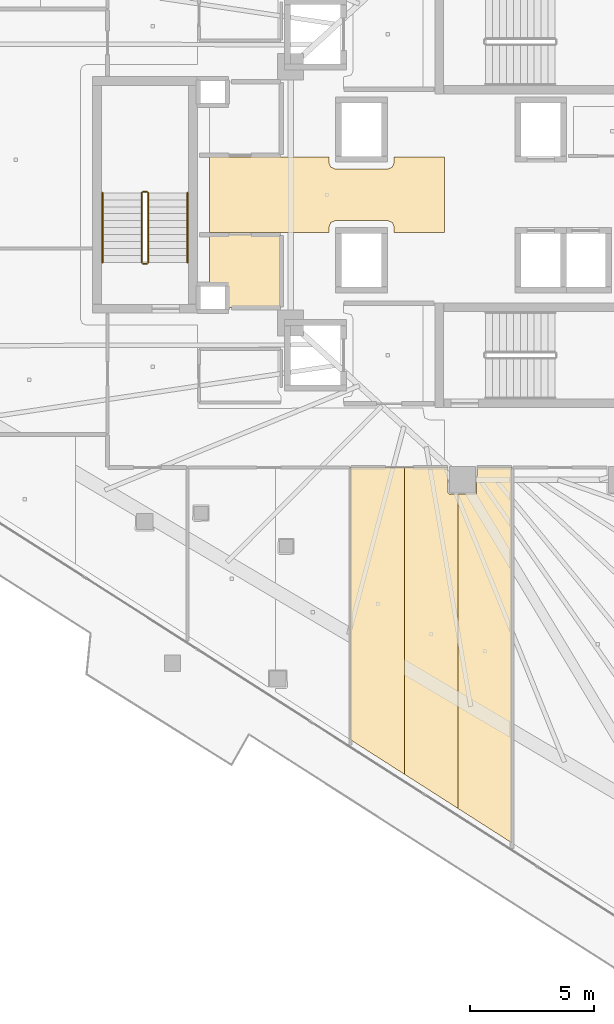
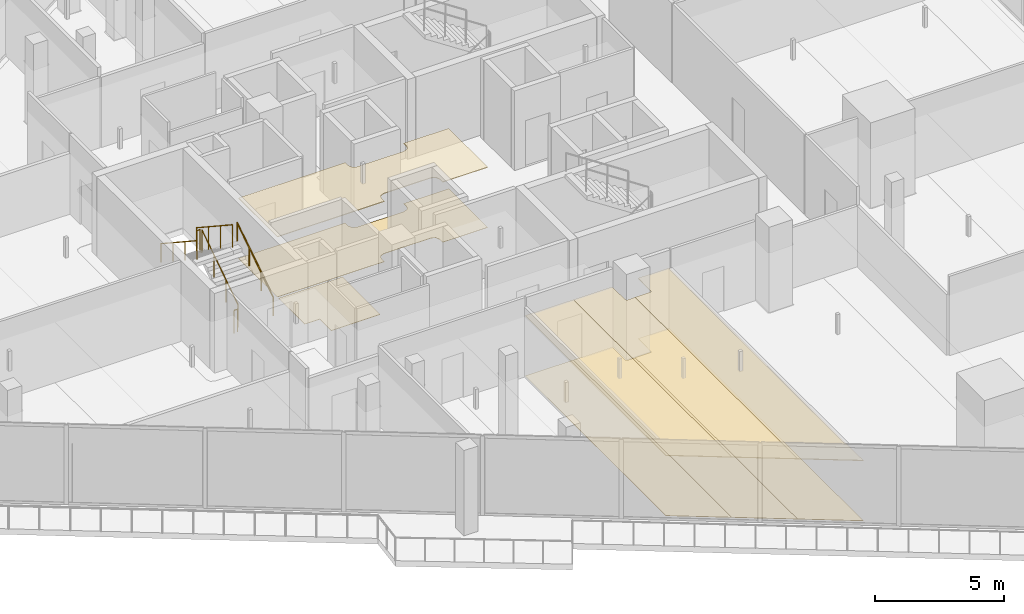
# One storey, part 33 of 39: 9 coverings, 6 railings.
"""IFC4 building model written with IfcOpenShell, lengths in metres."""

from ifc_helpers import new_model, si_unit, direction, frame, origin, origin_2d, place, context, subcontext, project, spatial, polyline, circle, outline, extrude, material, layer, layer_set, type_object, element, save


model = new_model("IFC4")

# Units and contexts
model_context = context("Model", 3, precision=1e-05, world=origin(), true_north=direction((0.0, 1.0)))
body_context = subcontext(model_context, "Body", "Model", "MODEL_VIEW")
ifc_project = project(units=[si_unit("LENGTHUNIT", "METRE"), si_unit("AREAUNIT", "SQUARE_METRE"), si_unit("VOLUMEUNIT", "CUBIC_METRE"), si_unit("PLANEANGLEUNIT", "RADIAN"), si_unit("MASSUNIT", "GRAM", prefix="KILO")], contexts=[model_context])

# Site, building, storey
site_placement = place(None, origin())
site = spatial("IfcSite", under=ifc_project, at=site_placement, CompositionType="ELEMENT")
building_placement = place(site_placement, origin())
building = spatial("IfcBuilding", under=site, at=building_placement, Name="Qorvath Tower", CompositionType="ELEMENT")
storey_placement = place(building_placement, frame((0.0, 0.0, 142.199951171875)))
storey = spatial("IfcBuildingStorey", under=building, at=storey_placement, Name="L32", CompositionType="ELEMENT", Elevation=142.199951171875)

# Coverings
ifc_material_1 = material(Name="Acoustic mineral fibre ceiling tile", Category="gypsum")
ifc_layer_1 = layer(ifc_material_1, 0.030029296875)
ifc_layer_set_1 = layer_set([ifc_layer_1], Name="COV-CEIL")
covering_type_1 = type_object("IfcCoveringType", Name="COV-CEIL", PredefinedType="CEILING", material=ifc_layer_set_1)
covering_1_placement = place(storey_placement, frame((0.0, 0.0, 2.85009765625)))
element("IfcCovering", 1, at=covering_1_placement, inside=storey, type_object=covering_type_1, Name="L32 Suspended Acoustic Ceiling 010", PredefinedType="CEILING", context=body_context, shape_type="SweptSolid", body=[
    extrude(outline(polyline([(-24.32080078125, -1.514892578125), (-24.32080078125, 1.514892578125), (-26.340087890625, 1.514892578125), (-26.340087890625, 1.2900390625), (-26.413330078125, 1.11328125), (-26.590087890625, 1.0400390625), (-28.7099609375, 1.0400390625), (-28.88671875, 1.11328125), (-28.9599609375, 1.2900390625), (-28.9599609375, 1.514892578125), (-33.760009765625, 1.514892578125), (-33.760009765625, -1.514892578125), (-28.9599609375, -1.514892578125), (-28.9599609375, -1.2900390625), (-28.88671875, -1.11328125), (-28.7099609375, -1.0400390625), (-26.590087890625, -1.0400390625), (-26.413330078125, -1.11328125), (-26.340087890625, -1.2900390625), (-26.340087890625, -1.514892578125), (-24.32080078125, -1.514892578125)])), origin(), (0.0, 0.0, 1.0), 0.030029296875),
])
covering_2_placement = place(storey_placement, frame((0.0, 0.0, 2.85009765625)))
element("IfcCovering", 2, at=covering_2_placement, inside=storey, type_object=covering_type_1, Name="L32 Suspended Acoustic Ceiling 023", PredefinedType="CEILING", context=body_context, shape_type="SweptSolid", body=[
    extrude(outline(polyline([(-25.9296875, -23.285400390625), (-25.9296875, -10.962890625), (-28.0888671875, -10.962890625), (-28.0888671875, -21.905517578125), (-25.9296875, -23.285400390625)])), origin(), (0.0, 0.0, 1.0), 0.030029296875),
])
covering_3_placement = place(storey_placement, frame((0.0, 0.0, 2.85009765625)))
element("IfcCovering", 3, at=covering_3_placement, inside=storey, type_object=covering_type_1, Name="L32 Suspended Acoustic Ceiling 024", PredefinedType="CEILING", context=body_context, shape_type="SweptSolid", body=[
    extrude(outline(polyline([(-23.7705078125, -24.665283203125), (-23.7705078125, -12.029296875), (-24.125, -12.034912109375), (-24.18505859375, -11.97509765625), (-24.18505859375, -10.962890625), (-25.9296875, -10.962890625), (-25.9296875, -23.285400390625), (-23.7705078125, -24.665283203125)])), origin(), (0.0, 0.0, 1.0), 0.030029296875),
])
covering_4_placement = place(storey_placement, frame((0.0, 0.0, 2.85009765625)))
element("IfcCovering", 4, at=covering_4_placement, inside=storey, type_object=covering_type_1, Name="L32 Suspended Acoustic Ceiling 025", PredefinedType="CEILING", context=body_context, shape_type="SweptSolid", body=[
    extrude(outline(polyline([(-21.611328125, -26.04541015625), (-21.611328125, -10.962890625), (-23.014892578125, -10.962890625), (-23.032470703125, -12.017333984375), (-23.7705078125, -12.029296875), (-23.7705078125, -24.665283203125), (-21.611328125, -26.04541015625)])), origin(), (0.0, 0.0, 1.0), 0.030029296875),
])
ifc_material_2 = material(Name="Low-VOC modular carpet tile", Category="textile")
ifc_layer_2 = layer(ifc_material_2, 0.014892578125)
ifc_layer_set_2 = layer_set([ifc_layer_2], Name="COV-FLOOR-CPT")
covering_type_2 = type_object("IfcCoveringType", Name="COV-FLOOR-CPT", PredefinedType="FLOORING", material=ifc_layer_set_2)
covering_5_placement = place(storey_placement, origin())
element("IfcCovering", 5, at=covering_5_placement, inside=storey, type_object=covering_type_2, Name="L32 Floor Finish 007", PredefinedType="FLOORING", context=body_context, shape_type="SweptSolid", body=[
    extrude(outline(polyline([(-30.885009765625, -4.534912109375), (-30.885009765625, -1.60498046875), (-33.760009765625, -1.60498046875), (-33.760009765625, -3.636962890625), (-33.08837890625, -3.638427734375), (-33.0869140625, -4.534912109375), (-30.885009765625, -4.534912109375)])), origin(), (0.0, 0.0, 1.0), 0.01513671875),
])
covering_6_placement = place(storey_placement, origin())
element("IfcCovering", 6, at=covering_6_placement, inside=storey, type_object=covering_type_2, Name="L32 Floor Finish 023", PredefinedType="FLOORING", context=body_context, shape_type="SweptSolid", body=[
    extrude(outline(polyline([(-25.9296875, -23.285400390625), (-25.9296875, -10.962890625), (-28.0888671875, -10.962890625), (-28.0888671875, -21.905517578125), (-25.9296875, -23.285400390625)])), origin(), (0.0, 0.0, 1.0), 0.01513671875),
])
covering_7_placement = place(storey_placement, origin())
element("IfcCovering", 7, at=covering_7_placement, inside=storey, type_object=covering_type_2, Name="L32 Floor Finish 024", PredefinedType="FLOORING", context=body_context, shape_type="SweptSolid", body=[
    extrude(outline(polyline([(-23.7705078125, -24.665283203125), (-23.7705078125, -12.029296875), (-24.125, -12.034912109375), (-24.18505859375, -11.97509765625), (-24.18505859375, -10.962890625), (-25.9296875, -10.962890625), (-25.9296875, -23.285400390625), (-23.7705078125, -24.665283203125)])), origin(), (0.0, 0.0, 1.0), 0.01513671875),
])
covering_8_placement = place(storey_placement, origin())
element("IfcCovering", 8, at=covering_8_placement, inside=storey, type_object=covering_type_2, Name="L32 Floor Finish 025", PredefinedType="FLOORING", context=body_context, shape_type="SweptSolid", body=[
    extrude(outline(polyline([(-21.611328125, -26.04541015625), (-21.611328125, -10.962890625), (-23.014892578125, -10.962890625), (-23.032470703125, -12.017333984375), (-23.7705078125, -12.029296875), (-23.7705078125, -24.665283203125), (-21.611328125, -26.04541015625)])), origin(), (0.0, 0.0, 1.0), 0.01513671875),
])
ifc_material_3 = material(Name="Polished epoxy terrazzo flooring", Category="concrete")
ifc_layer_3 = layer(ifc_material_3, 0.02001953125)
ifc_layer_set_3 = layer_set([ifc_layer_3], Name="COV-FLOOR-TRZ")
covering_type_3 = type_object("IfcCoveringType", Name="COV-FLOOR-TRZ", PredefinedType="FLOORING", material=ifc_layer_set_3)
covering_9_placement = place(storey_placement, origin())
element("IfcCovering", 9, at=covering_9_placement, inside=storey, type_object=covering_type_3, Name="L32 Floor Finish 010", PredefinedType="FLOORING", context=body_context, shape_type="SweptSolid", body=[
    extrude(outline(polyline([(-24.32080078125, -1.514892578125), (-24.32080078125, 1.514892578125), (-26.340087890625, 1.514892578125), (-26.340087890625, 1.2900390625), (-26.413330078125, 1.11328125), (-26.590087890625, 1.0400390625), (-28.7099609375, 1.0400390625), (-28.88671875, 1.11328125), (-28.9599609375, 1.2900390625), (-28.9599609375, 1.514892578125), (-33.760009765625, 1.514892578125), (-33.760009765625, -1.514892578125), (-28.9599609375, -1.514892578125), (-28.9599609375, -1.2900390625), (-28.88671875, -1.11328125), (-28.7099609375, -1.0400390625), (-26.590087890625, -1.0400390625), (-26.413330078125, -1.11328125), (-26.340087890625, -1.2900390625), (-26.340087890625, -1.514892578125), (-24.32080078125, -1.514892578125)])), origin(), (0.0, 0.0, 1.0), 0.01513671875),
])

# Railings
ifc_material_4 = material(Name="Painted galvanised steel", Category="steel")
railing_type_1 = type_object("IfcRailingType", Name="RL-STR-GRD", PredefinedType="GUARDRAIL", material=ifc_material_4)
railing_1_placement = place(storey_placement, frame((-36.22998046875, -2.719970703125, 0.18408203125)))
element("IfcRailing", 10, at=railing_1_placement, inside=storey, type_object=railing_type_1, Name="L32 TS3 stair guard 1", PredefinedType="GUARDRAIL", context=body_context, shape_type="SweptSolid", body=[
    extrude(circle(Radius=0.02392578125, at=origin_2d()), frame((0.0, 0.0, 1.076171875), z_axis=(0.0, 0.83556406348, 0.549393024911), x_axis=(-1.0, 0.0, 0.0)), (0.0, 0.0, 1.0), 3.35107421875),
    extrude(circle(Radius=0.02099609375, at=origin_2d()), origin(), (0.0, 0.0, 1.0), 1.052001953125),
    extrude(circle(Radius=0.02099609375, at=origin_2d()), frame((0.0, 0.933349609375, 0.61376953125)), (0.0, 0.0, 1.0), 1.052001953125),
    extrude(circle(Radius=0.02099609375, at=origin_2d()), frame((0.0, 1.86669921875, 1.227294921875)), (0.0, 0.0, 1.0), 1.052001953125),
    extrude(circle(Radius=0.02099609375, at=origin_2d()), frame((0.0, 2.800048828125, 1.841064453125)), (0.0, 0.0, 1.0), 1.052001953125),
])
railing_2_placement = place(storey_placement, frame((-36.280029296875, 0.1298828125, 2.025146484375)))
element("IfcRailing", 11, at=railing_2_placement, inside=storey, type_object=railing_type_1, Name="L32 TS3 stair guard 2", PredefinedType="GUARDRAIL", context=body_context, shape_type="SweptSolid", body=[
    extrude(circle(Radius=0.02392578125, at=origin_2d()), frame((0.0, 0.0, 1.076171875), z_axis=(-1.0, 0.0, 0.0), x_axis=(0.0, -1.0, 0.0)), (0.0, 0.0, 1.0), 0.14990234375),
    extrude(circle(Radius=0.02099609375, at=origin_2d()), origin(), (0.0, 0.0, 1.0), 1.052001953125),
    extrude(circle(Radius=0.02099609375, at=origin_2d()), frame((-0.14990234375, 0.0, 0.0)), (0.0, 0.0, 1.0), 1.052001953125),
])
railing_3_placement = place(storey_placement, frame((-36.47998046875, 0.080078125, 2.209228515625)))
element("IfcRailing", 12, at=railing_3_placement, inside=storey, type_object=railing_type_1, Name="L32 TS3 stair guard 3", PredefinedType="GUARDRAIL", context=body_context, shape_type="SweptSolid", body=[
    extrude(circle(Radius=0.02392578125, at=origin_2d()), frame((0.0, 0.0, 1.076171875), z_axis=(0.0, -0.835597507184, 0.549342157483), x_axis=(1.0, 0.0, 0.0)), (0.0, 0.0, 1.0), 3.35107421875),
    extrude(circle(Radius=0.02099609375, at=origin_2d()), origin(), (0.0, 0.0, 1.0), 1.052001953125),
    extrude(circle(Radius=0.02099609375, at=origin_2d()), frame((0.0, -0.933349609375, 0.613525390625)), (0.0, 0.0, 1.0), 1.052001953125),
    extrude(circle(Radius=0.02099609375, at=origin_2d()), frame((0.0, -1.86669921875, 1.227294921875)), (0.0, 0.0, 1.0), 1.052001953125),
    extrude(circle(Radius=0.02099609375, at=origin_2d()), frame((0.0, -2.800048828125, 1.8408203125)), (0.0, 0.0, 1.0), 1.052001953125),
])
railing_4_placement = place(storey_placement, frame((-36.280029296875, -2.77001953125, 0.0)))
element("IfcRailing", 13, at=railing_4_placement, inside=storey, type_object=railing_type_1, Name="L32 TS3 stair guard 4", PredefinedType="GUARDRAIL", context=body_context, shape_type="SweptSolid", body=[
    extrude(circle(Radius=0.02392578125, at=origin_2d()), frame((0.0, 0.0, 1.076171875), z_axis=(-1.0, 0.0, 0.0), x_axis=(0.0, -1.0, 0.0)), (0.0, 0.0, 1.0), 0.14990234375),
    extrude(circle(Radius=0.02099609375, at=origin_2d()), origin(), (0.0, 0.0, 1.0), 1.052001953125),
    extrude(circle(Radius=0.02099609375, at=origin_2d()), frame((-0.14990234375, 0.0, 0.0)), (0.0, 0.0, 1.0), 1.052001953125),
])
ifc_material_5 = material(Name="Brushed stainless steel AISI 304", Category="steel")
railing_type_2 = type_object("IfcRailingType", Name="RL-STR-HND", PredefinedType="HANDRAIL", material=ifc_material_5)
railing_5_placement = place(storey_placement, frame((-34.64990234375, -2.719970703125, 0.18408203125)))
element("IfcRailing", 14, at=railing_5_placement, inside=storey, type_object=railing_type_2, Name="L32 TS3 stair handrail 1", PredefinedType="HANDRAIL", context=body_context, shape_type="SweptSolid", body=[
    extrude(circle(Radius=0.02392578125, at=origin_2d()), frame((0.0, 0.0, 0.8759765625), z_axis=(0.0, 0.83556406348, 0.549393024911), x_axis=(-1.0, 0.0, 0.0)), (0.0, 0.0, 1.0), 3.35107421875),
    extrude(circle(Radius=0.02099609375, at=origin_2d()), origin(), (0.0, 0.0, 1.0), 0.851806640625),
    extrude(circle(Radius=0.02099609375, at=origin_2d()), frame((0.0, 0.933349609375, 0.61376953125)), (0.0, 0.0, 1.0), 0.851806640625),
    extrude(circle(Radius=0.02099609375, at=origin_2d()), frame((0.0, 1.86669921875, 1.227294921875)), (0.0, 0.0, 1.0), 0.851806640625),
    extrude(circle(Radius=0.02099609375, at=origin_2d()), frame((0.0, 2.800048828125, 1.841064453125)), (0.0, 0.0, 1.0), 0.851806640625),
])
railing_6_placement = place(storey_placement, frame((-38.06005859375, 0.080078125, 2.209228515625)))
element("IfcRailing", 15, at=railing_6_placement, inside=storey, type_object=railing_type_2, Name="L32 TS3 stair handrail 2", PredefinedType="HANDRAIL", context=body_context, shape_type="SweptSolid", body=[
    extrude(circle(Radius=0.02392578125, at=origin_2d()), frame((0.0, 0.0, 0.8759765625), z_axis=(0.0, -0.835597507184, 0.549342157483), x_axis=(1.0, 0.0, 0.0)), (0.0, 0.0, 1.0), 3.35107421875),
    extrude(circle(Radius=0.02099609375, at=origin_2d()), origin(), (0.0, 0.0, 1.0), 0.851806640625),
    extrude(circle(Radius=0.02099609375, at=origin_2d()), frame((0.0, -0.933349609375, 0.613525390625)), (0.0, 0.0, 1.0), 0.851806640625),
    extrude(circle(Radius=0.02099609375, at=origin_2d()), frame((0.0, -1.86669921875, 1.227294921875)), (0.0, 0.0, 1.0), 0.851806640625),
    extrude(circle(Radius=0.02099609375, at=origin_2d()), frame((0.0, -2.800048828125, 1.8408203125)), (0.0, 0.0, 1.0), 0.851806640625),
])

save(model, "model.ifc")
